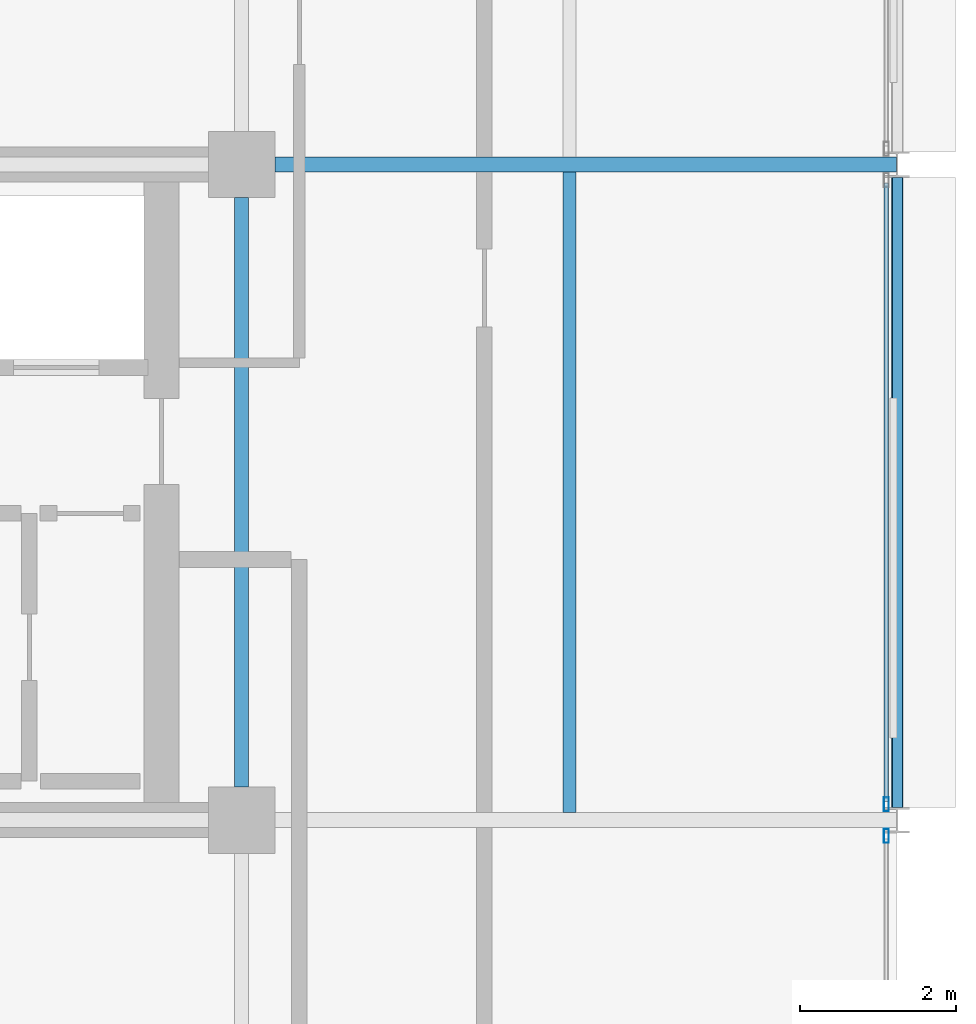
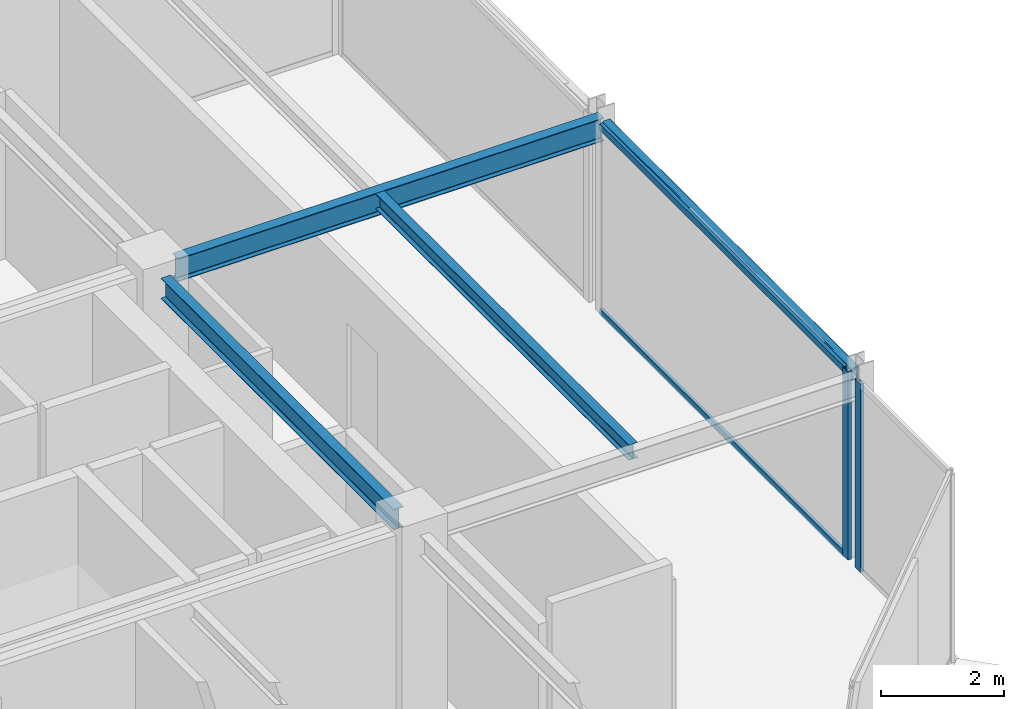
# One storey, part 15 of 27: 4 beams, 4 members, 2 elements without a shape of their own.
"""IFC4 building model written with IfcOpenShell, lengths in metres."""

from ifc_helpers import new_model, si_unit, direction, frame, origin, origin_2d, place, context, subcontext, project, spatial, hollow_rectangle, i_section, extrude, material, layer, layer_set, material_profile, profile_set, type_object, element, aggregate, save


model = new_model("IFC4")

# Units and contexts
model_context = context("Model", 3, precision=1e-05, world=origin(), true_north=direction((0.0, 1.0)))
body_context = subcontext(model_context, "Body", "Model", "MODEL_VIEW")
ifc_project = project(units=[si_unit("LENGTHUNIT", "METRE"), si_unit("AREAUNIT", "SQUARE_METRE"), si_unit("VOLUMEUNIT", "CUBIC_METRE"), si_unit("PLANEANGLEUNIT", "RADIAN"), si_unit("MASSUNIT", "GRAM", prefix="KILO")], contexts=[model_context])

# Site, building, storey
site_placement = place(None, origin())
site = spatial("IfcSite", under=ifc_project, at=site_placement, CompositionType="ELEMENT")
building_placement = place(site_placement, origin())
building = spatial("IfcBuilding", under=site, at=building_placement, Name="Nerrivon Quay Data Exchange", CompositionType="ELEMENT")
storey_placement = place(building_placement, frame((0.0, 0.0, 266.199951171875)))
storey = spatial("IfcBuildingStorey", under=building, at=storey_placement, Name="L63", CompositionType="ELEMENT", Elevation=266.199951171875)

# Beams
ifc_material_1 = material(Name="Steel Grade 350", Category="steel")
ifc_material_profile_1 = material_profile(ifc_material_1, i_section(OverallWidth=0.18994140625, OverallDepth=0.4541015625, WebThickness=0.008544921875, FlangeThickness=0.0126953125, FilletRadius=0.011474609375, at=origin_2d()), Name="460UB67.1")
ifc_profile_set_1 = profile_set([ifc_material_profile_1], Name="Steel Grade 350")
beam_type_1 = type_object("IfcBeamType", Name="BM-G6-460UB67", PredefinedType="BEAM", material=ifc_profile_set_1)
beam_1_placement = place(storey_placement, frame((34.02490234375, 16.800048828125, 3.498046875), z_axis=(1.0, 0.0, 0.0), x_axis=(0.0, 1.0, 0.0)))
element("IfcBeam", 1, at=beam_1_placement, inside=storey, type_object=beam_type_1, Name="L63 EW Girder Y=16.8 (33.6..42.0)", PredefinedType="BEAM", context=body_context, shape_type="SweptSolid", body=[
    extrude(i_section(OverallWidth=0.18994140625, OverallDepth=0.4541015625, WebThickness=0.008544921875, FlangeThickness=0.0126953125, FilletRadius=0.011474609375, at=origin_2d()), origin(), (0.0, 0.0, 1.0), 7.96728515625),
])
ifc_material_profile_2 = material_profile(ifc_material_1, i_section(OverallWidth=0.177978515625, OverallDepth=0.406005859375, WebThickness=0.0078125, FlangeThickness=0.0126953125, FilletRadius=0.011474609375, at=origin_2d()), Name="410UB59.7")
ifc_profile_set_2 = profile_set([ifc_material_profile_2], Name="Steel Grade 350")
beam_type_2 = type_object("IfcBeamType", Name="BM-J1-410UB60", PredefinedType="JOIST", material=ifc_profile_set_2)
beam_2_placement = place(storey_placement, frame((33.60009765625, 8.824951171875, 3.52197265625), z_axis=(0.0, 1.0, 0.0), x_axis=(-1.0, 0.0, 0.0)))
element("IfcBeam", 2, at=beam_2_placement, inside=storey, type_object=beam_type_2, Name="L63 NS Girder X=33.6 (8.4..16.8)", PredefinedType="JOIST", context=body_context, shape_type="SweptSolid", body=[
    extrude(i_section(OverallWidth=0.177978515625, OverallDepth=0.406005859375, WebThickness=0.0078125, FlangeThickness=0.0126953125, FilletRadius=0.011474609375, at=origin_2d()), origin(), (0.0, 0.0, 1.0), 7.550048828125),
])
ifc_material_profile_3 = material_profile(ifc_material_1, i_section(OverallWidth=0.1650390625, OverallDepth=0.303955078125, WebThickness=0.006103515625, FlangeThickness=0.01025390625, FilletRadius=0.011474609375, at=origin_2d()), Name="310UB40.4")
ifc_profile_set_3 = profile_set([ifc_material_profile_3], Name="Steel Grade 350")
beam_type_3 = type_object("IfcBeamType", Name="BM-J6-310UB40", PredefinedType="JOIST", material=ifc_profile_set_3)
beam_3_placement = place(storey_placement, frame((37.800048828125, 8.4951171875, 3.572998046875), z_axis=(0.0, 1.0, 0.0), x_axis=(-1.0, 0.0, 0.0)))
element("IfcBeam", 3, at=beam_3_placement, inside=storey, type_object=beam_type_3, Name="L63 Secondary Joist X=37.8 (8.4..16.8)", PredefinedType="JOIST", context=body_context, shape_type="SweptSolid", body=[
    extrude(i_section(OverallWidth=0.1650390625, OverallDepth=0.303955078125, WebThickness=0.006103515625, FlangeThickness=0.01025390625, FilletRadius=0.011474609375, at=origin_2d()), origin(), (0.0, 0.0, 1.0), 8.2099609375),
])
ifc_material_2 = material(Name="Steel Grade C350L0 (350 MPa)", Category="steel")
ifc_material_profile_4 = material_profile(ifc_material_2, hollow_rectangle(XDim=0.14990234375, YDim=0.25, WallThickness=0.009033203125, InnerFilletRadius=0.013427734375, OuterFilletRadius=0.0224609375, at=origin_2d()), Name="250x150x9.0RHS")
ifc_profile_set_4 = profile_set([ifc_material_profile_4], Name="Steel Grade C350L0 (350 MPa)")
beam_type_4 = type_object("IfcBeamType", Name="BM-SP4-250x150RHS", PredefinedType="SPANDREL", material=ifc_profile_set_4)
beam_4_placement = place(storey_placement, frame((42.0, 8.5634765625, 3.60009765625), z_axis=(0.0, 1.0, 0.0), x_axis=(-1.0, 0.0, 0.0)))
element("IfcBeam", 4, at=beam_4_placement, inside=storey, type_object=beam_type_4, Name="L63 NS Girder X=42.0 (8.4..16.8)", PredefinedType="SPANDREL", context=body_context, shape_type="SweptSolid", body=[
    extrude(hollow_rectangle(XDim=0.14990234375, YDim=0.25, WallThickness=0.009033203125, InnerFilletRadius=0.013427734375, OuterFilletRadius=0.0224609375, at=origin_2d()), origin(), (0.0, 0.0, 1.0), 8.072998046875),
])

# Curtain wall, member
ifc_material_3 = material(Name="Anodised aluminium 6063-T6", Category="aluminium")
ifc_layer = layer(ifc_material_3, 0.195068359375)
ifc_layer_set = layer_set([ifc_layer], Name="Anodised aluminium 6063-T6")
curtain_wall_type = type_object("IfcCurtainWallType", Name="CW-SYS-06", PredefinedType="NOTDEFINED", material=ifc_layer_set)
curtain_wall_1_placement = place(storey_placement, origin())
curtain_wall_1 = element("IfcCurtainWall", 5, at=curtain_wall_1_placement, inside=storey, type_object=curtain_wall_type, Name="L63 Unitised Curtain Wall 27", PredefinedType="NOTDEFINED")
ifc_material_profile_5 = material_profile(ifc_material_3, hollow_rectangle(XDim=0.06494140625, YDim=0.179931640625, WallThickness=0.00341796875, at=origin_2d()), Name="ALU-MULL-180x65")
ifc_profile_set_5 = profile_set([ifc_material_profile_5], Name="Anodised aluminium 6063-T6")
member_type_1 = type_object("IfcMemberType", Name="CWM-180x65", PredefinedType="MULLION", material=ifc_profile_set_5)
member_1_placement = place(storey_placement, frame((41.860107421875, 8.60107421875, 0.0), z_axis=(0.0, 0.0, 1.0), x_axis=(1.0, 0.0, 0.0)))
member_1 = element("IfcMember", 6, at=member_1_placement, type_object=member_type_1, Name="CW06 mullion 2", PredefinedType="MULLION", context=body_context, shape_type="SweptSolid", body=[
    extrude(hollow_rectangle(XDim=0.06494140625, YDim=0.179931640625, WallThickness=0.00341796875, at=origin_2d()), origin(), (0.0, 0.0, 1.0), 3.72509765625),
])

curtain_wall_2_placement = place(storey_placement, origin())
curtain_wall_2 = element("IfcCurtainWall", 7, at=curtain_wall_2_placement, inside=storey, type_object=curtain_wall_type, Name="L63 Unitised Curtain Wall 28", PredefinedType="NOTDEFINED")
member_2_placement = place(storey_placement, frame((41.860107421875, 8.198974609375, 0.0), z_axis=(0.0, 0.0, 1.0), x_axis=(1.0, 0.0, 0.0)))
member_2 = element("IfcMember", 8, at=member_2_placement, type_object=member_type_1, Name="CW06 mullion 1", PredefinedType="MULLION", context=body_context, shape_type="SweptSolid", body=[
    extrude(hollow_rectangle(XDim=0.06494140625, YDim=0.179931640625, WallThickness=0.00341796875, at=origin_2d()), origin(), (0.0, 0.0, 1.0), 3.72509765625),
])
aggregate(curtain_wall_2, [member_2])

# Member
ifc_material_profile_6 = material_profile(ifc_material_3, hollow_rectangle(XDim=0.06005859375, YDim=0.1201171875, WallThickness=0.003173828125, at=origin_2d()), Name="ALU-TRAN-120x60")
ifc_profile_set_6 = profile_set([ifc_material_profile_6], Name="Anodised aluminium 6063-T6")
member_type_2 = type_object("IfcMemberType", Name="CWT-120x60", PredefinedType="USERDEFINED", material=ifc_profile_set_6)
member_3_placement = place(storey_placement, frame((41.860107421875, 16.5615234375, 0.032470703125), z_axis=(0.0, -1.0, 0.0), x_axis=(1.0, 0.0, 0.0)))
member_3 = element("IfcMember", 9, at=member_3_placement, type_object=member_type_2, Name="CW06 transom 1.1", ObjectType="TRANSOM", PredefinedType="USERDEFINED", context=body_context, shape_type="SweptSolid", body=[
    extrude(hollow_rectangle(XDim=0.06005859375, YDim=0.1201171875, WallThickness=0.003173828125, at=origin_2d()), origin(), (0.0, 0.0, 1.0), 7.923095703125),
])

member_4_placement = place(storey_placement, frame((41.860107421875, 16.5615234375, 3.692626953125), z_axis=(0.0, -1.0, 0.0), x_axis=(1.0, 0.0, 0.0)))
member_4 = element("IfcMember", 10, at=member_4_placement, type_object=member_type_2, Name="CW06 transom 1.2", ObjectType="TRANSOM", PredefinedType="USERDEFINED", context=body_context, shape_type="SweptSolid", body=[
    extrude(hollow_rectangle(XDim=0.06005859375, YDim=0.1201171875, WallThickness=0.003173828125, at=origin_2d()), origin(), (0.0, 0.0, 1.0), 7.923095703125),
])

aggregate(curtain_wall_1, [member_1, member_3, member_4])

save(model, "model.ifc")
